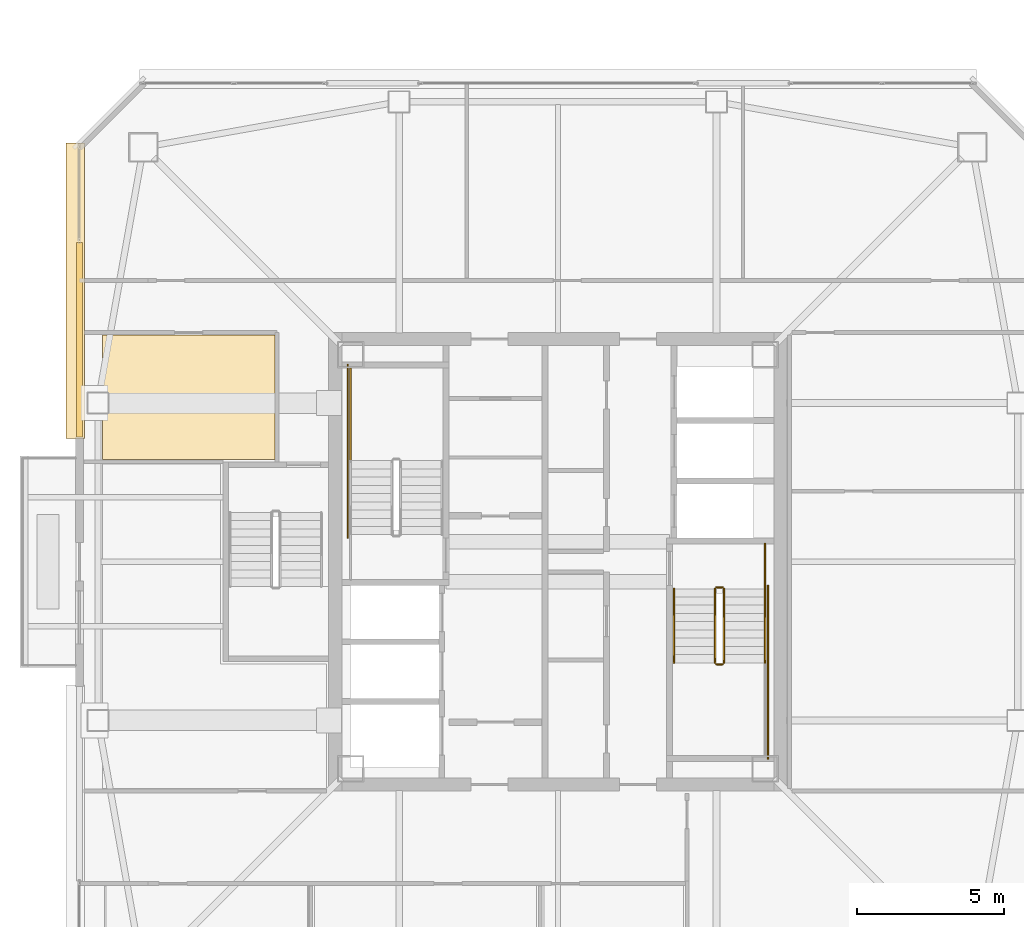
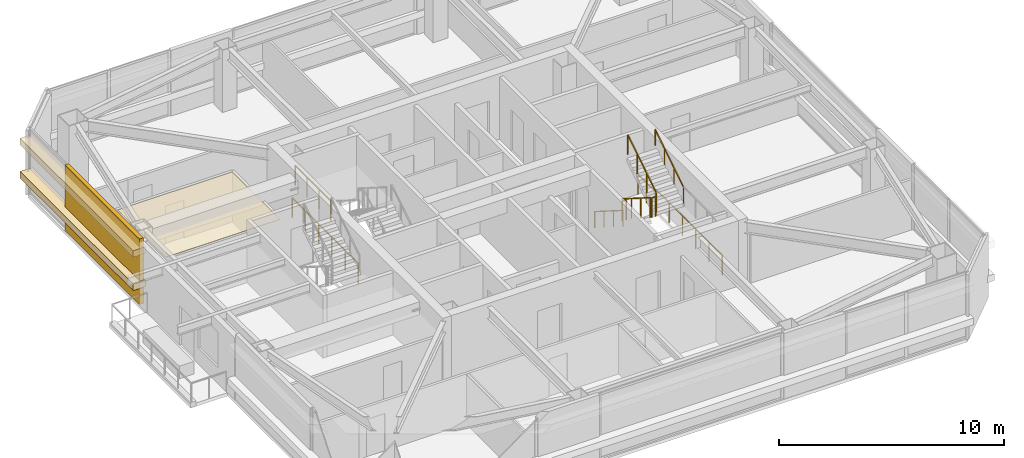
# One storey, part 35 of 39: 10 railings, 4 coverings.
"""IFC4 building model written with IfcOpenShell, lengths in metres."""

from ifc_helpers import new_model, si_unit, direction, frame, origin, origin_2d, place, context, subcontext, project, spatial, polyline, rectangle, outline, extrude, material, layer, layer_set, type_object, element, save


model = new_model("IFC4")

# Units and contexts
model_context = context("Model", 3, precision=1e-05, world=origin(), true_north=direction((0.0, 1.0)))
body_context = subcontext(model_context, "Body", "Model", "MODEL_VIEW")
ifc_project = project(units=[si_unit("LENGTHUNIT", "METRE"), si_unit("AREAUNIT", "SQUARE_METRE"), si_unit("VOLUMEUNIT", "CUBIC_METRE"), si_unit("PLANEANGLEUNIT", "RADIAN"), si_unit("MASSUNIT", "GRAM", prefix="KILO")], contexts=[model_context])

# Site, building, storey
site_placement = place(None, origin())
site = spatial("IfcSite", under=ifc_project, at=site_placement, CompositionType="ELEMENT")
building_placement = place(site_placement, origin())
building = spatial("IfcBuilding", under=site, at=building_placement, Name="Tashvorn Skyway Center", CompositionType="ELEMENT")
storey_placement = place(building_placement, frame((0.0, 0.0, 214.85009765625)))
storey = spatial("IfcBuildingStorey", under=building, at=storey_placement, Name="L58", CompositionType="ELEMENT", Elevation=214.85009765625)

# Coverings
ifc_material_1 = material(Name="Precast concrete C40/50", Category="concrete")
ifc_layer_1 = layer(ifc_material_1, 0.199951171875)
ifc_layer_set_1 = layer_set([ifc_layer_1], Name="Precast concrete C40/50")
covering_type_1 = type_object("IfcCoveringType", Name="COV-BRACE-CLAD", PredefinedType="CLADDING", material=ifc_layer_set_1)
covering_1_placement = place(storey_placement, frame((25.719970703125, 39.56005859375, 0.0), z_axis=(0.0, 0.0, 1.0), x_axis=(0.0, 1.0, 0.0)))
element("IfcCovering", 1, at=covering_1_placement, inside=storey, type_object=covering_type_1, Name="Tower 1 L58 West Curtain Wall R Mega-Brace Cladding Band 1", PredefinedType="CLADDING", context=body_context, shape_type="SweptSolid", body=[
    extrude(rectangle(XDim=6.6201171875, YDim=0.199951171875, at=origin_2d()), origin(), (0.0, 0.0, 1.0), 3.550048828125),
])
ifc_material_2 = material(Name="Mineral-fibre acoustic ceiling tile on suspended grid")
ifc_layer_2 = layer(ifc_material_2, 0.02001953125)
ifc_layer_set_2 = layer_set([ifc_layer_2], Name="Mineral-fibre acoustic ceiling tile on suspended grid")
covering_type_2 = type_object("IfcCoveringType", Name="COV-CEIL-20", PredefinedType="CEILING", material=ifc_layer_set_2)
covering_2_placement = place(storey_placement, frame((0.0, 0.0, 2.702880859375)))
element("IfcCovering", 2, at=covering_2_placement, inside=storey, type_object=covering_type_2, Name="Tower 1 L58 Boardroom Acoustic Ceiling", PredefinedType="CEILING", context=body_context, shape_type="SweptSolid", body=[
    extrude(outline(polyline([(32.3701171875, 39.719970703125), (32.3701171875, 35.47998046875), (26.5, 35.47998046875), (26.5, 39.719970703125), (32.3701171875, 39.719970703125)])), origin(), (0.0, 0.0, 1.0), 0.02001953125),
])
ifc_material_3 = material(Name="Perforated ceramic-coated bronze aluminium solar screen", Category="aluminium")
ifc_layer_3 = layer(ifc_material_3, 0.85009765625)
ifc_layer_set_3 = layer_set([ifc_layer_3], Name="Perforated ceramic-coated bronze aluminium solar screen")
covering_type_3 = type_object("IfcCoveringType", Name="COV-SOLAR-BAND", PredefinedType="CLADDING", material=ifc_layer_set_3)
for number, where, z_axis, x_axis, name in (
    (3, (25.580078125, 41.215087890625, 0.919921875), (0.0, 0.0, 1.0), (0.0, 1.0, 0.0), "L58 Perforated Ceramic-Metal Solar Screen Louvre Band West 1"),
    (4, (25.580078125, 41.215087890625, 2.7197265625), (0.0, 0.0, 1.0), (0.0, 1.0, 0.0), "L58 Perforated Ceramic-Metal Solar Screen Louvre Band West 2"),
):
    element("IfcCovering", number, at=place(storey_placement, frame(where, z_axis=z_axis, x_axis=x_axis)), inside=storey, type_object=covering_type_3, Name=name, PredefinedType="CLADDING", context=body_context, shape_type="SweptSolid", body=[
        extrude(rectangle(XDim=10.050048828125, YDim=0.639892578125, at=origin_2d()), origin(), (0.0, 0.0, 1.0), 0.360107421875),
    ])

# Railings
ifc_material_4 = material(Name="Brushed stainless steel 316", Category="steel")
railing_type_1 = type_object("IfcRailingType", Name="RAIL-HAND-920", PredefinedType="HANDRAIL", material=ifc_material_4)
railing_1_placement = place(storey_placement, frame((45.949951171875, 31.080078125, 0.177490234375)))
element("IfcRailing", 5, at=railing_1_placement, inside=storey, type_object=railing_type_1, Name="L58 ST-T1-2 stair handrail 1", PredefinedType="HANDRAIL", context=body_context, shape_type="SweptSolid", body=[
    extrude(rectangle(XDim=0.048095703125, YDim=0.048095703125, at=origin_2d()), frame((0.0, 0.0, 0.8759765625), z_axis=(0.0, -0.84460694969, 0.535386869969), x_axis=(1.0, 0.0, 0.0)), (0.0, 0.0, 1.0), 2.983642578125),
    extrude(rectangle(XDim=0.0419921875, YDim=0.0419921875, at=origin_2d()), origin(), (0.0, 0.0, 1.0), 0.851806640625),
    extrude(rectangle(XDim=0.0419921875, YDim=0.0419921875, at=origin_2d()), frame((0.0, -0.840087890625, 0.532470703125)), (0.0, 0.0, 1.0), 0.851806640625),
    extrude(rectangle(XDim=0.0419921875, YDim=0.0419921875, at=origin_2d()), frame((0.0, -1.679931640625, 1.06494140625)), (0.0, 0.0, 1.0), 0.851806640625),
    extrude(rectangle(XDim=0.0419921875, YDim=0.0419921875, at=origin_2d()), frame((0.0, -2.52001953125, 1.597412109375)), (0.0, 0.0, 1.0), 0.851806640625),
])
railing_2_placement = place(storey_placement, frame((49.050048828125, 28.56005859375, 1.952392578125)))
element("IfcRailing", 6, at=railing_2_placement, inside=storey, type_object=railing_type_1, Name="L58 ST-T1-2 stair handrail 2", PredefinedType="HANDRAIL", context=body_context, shape_type="SweptSolid", body=[
    extrude(rectangle(XDim=0.048095703125, YDim=0.048095703125, at=origin_2d()), frame((0.0, 0.0, 0.8759765625), z_axis=(0.0, 0.84460694969, 0.535386869969), x_axis=(-1.0, 0.0, 0.0)), (0.0, 0.0, 1.0), 2.983642578125),
    extrude(rectangle(XDim=0.0419921875, YDim=0.0419921875, at=origin_2d()), origin(), (0.0, 0.0, 1.0), 0.851806640625),
    extrude(rectangle(XDim=0.0419921875, YDim=0.0419921875, at=origin_2d()), frame((0.0, 0.840087890625, 0.532470703125)), (0.0, 0.0, 1.0), 0.851806640625),
    extrude(rectangle(XDim=0.0419921875, YDim=0.0419921875, at=origin_2d()), frame((0.0, 1.679931640625, 1.06494140625)), (0.0, 0.0, 1.0), 0.851806640625),
    extrude(rectangle(XDim=0.0419921875, YDim=0.0419921875, at=origin_2d()), frame((0.0, 2.52001953125, 1.597412109375)), (0.0, 0.0, 1.0), 0.851806640625),
])
ifc_material_5 = material(Name="Painted galvanized steel S355", Category="steel")
railing_type_2 = type_object("IfcRailingType", Name="RAIL-STGUARD-1100", PredefinedType="GUARDRAIL", material=ifc_material_5)
railing_3_placement = place(storey_placement, frame((34.949951171875, 35.43994140625, 1.77490234375)))
element("IfcRailing", 7, at=railing_3_placement, inside=storey, type_object=railing_type_2, Name="L58 ST-T1-1 stair guard 3", PredefinedType="GUARDRAIL", context=body_context, shape_type="SweptSolid", body=[
    extrude(rectangle(XDim=0.048095703125, YDim=0.048095703125, at=origin_2d()), frame((0.0, 0.0, 1.076171875), z_axis=(0.0, 1.0, 0.0), x_axis=(-1.0, 0.0, 0.0)), (0.0, 0.0, 1.0), 3.16015625),
    extrude(rectangle(XDim=0.0419921875, YDim=0.0419921875, at=origin_2d()), origin(), (0.0, 0.0, 1.0), 1.052001953125),
    extrude(rectangle(XDim=0.0419921875, YDim=0.0419921875, at=origin_2d()), frame((0.0, 1.053466796875, 0.0)), (0.0, 0.0, 1.0), 1.052001953125),
    extrude(rectangle(XDim=0.0419921875, YDim=0.0419921875, at=origin_2d()), frame((0.0, 2.106689453125, 0.0)), (0.0, 0.0, 1.0), 1.052001953125),
    extrude(rectangle(XDim=0.0419921875, YDim=0.0419921875, at=origin_2d()), frame((0.0, 3.16015625, 0.0)), (0.0, 0.0, 1.0), 1.052001953125),
])
railing_4_placement = place(storey_placement, frame((34.85009765625, 32.820068359375, 0.0)))
element("IfcRailing", 8, at=railing_4_placement, inside=storey, type_object=railing_type_2, Name="L58 ST-T1-1 stair guard 7", PredefinedType="GUARDRAIL", context=body_context, shape_type="SweptSolid", body=[
    extrude(rectangle(XDim=0.048095703125, YDim=0.048095703125, at=origin_2d()), frame((0.0, 0.0, 1.076171875), z_axis=(0.0, 1.0, 0.0), x_axis=(-1.0, 0.0, 0.0)), (0.0, 0.0, 1.0), 5.8798828125),
    extrude(rectangle(XDim=0.0419921875, YDim=0.0419921875, at=origin_2d()), origin(), (0.0, 0.0, 1.0), 1.052001953125),
    extrude(rectangle(XDim=0.0419921875, YDim=0.0419921875, at=origin_2d()), frame((0.0, 1.176025390625, 0.0)), (0.0, 0.0, 1.0), 1.052001953125),
    extrude(rectangle(XDim=0.0419921875, YDim=0.0419921875, at=origin_2d()), frame((0.0, 2.35205078125, 0.0)), (0.0, 0.0, 1.0), 1.052001953125),
    extrude(rectangle(XDim=0.0419921875, YDim=0.0419921875, at=origin_2d()), frame((0.0, 3.52783203125, 0.0)), (0.0, 0.0, 1.0), 1.052001953125),
    extrude(rectangle(XDim=0.0419921875, YDim=0.0419921875, at=origin_2d()), frame((0.0, 4.703857421875, 0.0)), (0.0, 0.0, 1.0), 1.052001953125),
    extrude(rectangle(XDim=0.0419921875, YDim=0.0419921875, at=origin_2d()), frame((0.0, 5.8798828125, 0.0)), (0.0, 0.0, 1.0), 1.052001953125),
])
railing_5_placement = place(storey_placement, frame((47.35009765625, 31.080078125, 0.177490234375)))
element("IfcRailing", 9, at=railing_5_placement, inside=storey, type_object=railing_type_2, Name="L58 ST-T1-2 stair guard 1", PredefinedType="GUARDRAIL", context=body_context, shape_type="SweptSolid", body=[
    extrude(rectangle(XDim=0.048095703125, YDim=0.048095703125, at=origin_2d()), frame((0.0, 0.0, 1.076171875), z_axis=(0.0, -0.84460694969, 0.535386869969), x_axis=(1.0, 0.0, 0.0)), (0.0, 0.0, 1.0), 2.983642578125),
    extrude(rectangle(XDim=0.0419921875, YDim=0.0419921875, at=origin_2d()), origin(), (0.0, 0.0, 1.0), 1.052001953125),
    extrude(rectangle(XDim=0.0419921875, YDim=0.0419921875, at=origin_2d()), frame((0.0, -0.840087890625, 0.532470703125)), (0.0, 0.0, 1.0), 1.052001953125),
    extrude(rectangle(XDim=0.0419921875, YDim=0.0419921875, at=origin_2d()), frame((0.0, -1.679931640625, 1.06494140625)), (0.0, 0.0, 1.0), 1.052001953125),
    extrude(rectangle(XDim=0.0419921875, YDim=0.0419921875, at=origin_2d()), frame((0.0, -2.52001953125, 1.597412109375)), (0.0, 0.0, 1.0), 1.052001953125),
])
railing_6_placement = place(storey_placement, frame((47.39990234375, 28.510009765625, 1.77490234375)))
element("IfcRailing", 10, at=railing_6_placement, inside=storey, type_object=railing_type_2, Name="L58 ST-T1-2 stair guard 2", PredefinedType="GUARDRAIL", context=body_context, shape_type="SweptSolid", body=[
    extrude(rectangle(XDim=0.048095703125, YDim=0.048095703125, at=origin_2d()), frame((0.0, 0.0, 1.076171875), z_axis=(1.0, 0.0, 0.0), x_axis=(0.0, 1.0, 0.0)), (0.0, 0.0, 1.0), 0.2001953125),
    extrude(rectangle(XDim=0.0419921875, YDim=0.0419921875, at=origin_2d()), origin(), (0.0, 0.0, 1.0), 1.052001953125),
    extrude(rectangle(XDim=0.0419921875, YDim=0.0419921875, at=origin_2d()), frame((0.2001953125, 0.0, 0.0)), (0.0, 0.0, 1.0), 1.052001953125),
])
railing_7_placement = place(storey_placement, frame((47.64990234375, 28.56005859375, 1.952392578125)))
element("IfcRailing", 11, at=railing_7_placement, inside=storey, type_object=railing_type_2, Name="L58 ST-T1-2 stair guard 4", PredefinedType="GUARDRAIL", context=body_context, shape_type="SweptSolid", body=[
    extrude(rectangle(XDim=0.048095703125, YDim=0.048095703125, at=origin_2d()), frame((0.0, 0.0, 1.076171875), z_axis=(0.0, 0.84460694969, 0.535386869969), x_axis=(-1.0, 0.0, 0.0)), (0.0, 0.0, 1.0), 2.983642578125),
    extrude(rectangle(XDim=0.0419921875, YDim=0.0419921875, at=origin_2d()), origin(), (0.0, 0.0, 1.0), 1.052001953125),
    extrude(rectangle(XDim=0.0419921875, YDim=0.0419921875, at=origin_2d()), frame((0.0, 0.840087890625, 0.532470703125)), (0.0, 0.0, 1.0), 1.052001953125),
    extrude(rectangle(XDim=0.0419921875, YDim=0.0419921875, at=origin_2d()), frame((0.0, 1.679931640625, 1.06494140625)), (0.0, 0.0, 1.0), 1.052001953125),
    extrude(rectangle(XDim=0.0419921875, YDim=0.0419921875, at=origin_2d()), frame((0.0, 2.52001953125, 1.597412109375)), (0.0, 0.0, 1.0), 1.052001953125),
])
railing_8_placement = place(storey_placement, frame((47.39990234375, 31.1298828125, 0.0)))
element("IfcRailing", 12, at=railing_8_placement, inside=storey, type_object=railing_type_2, Name="L58 ST-T1-2 stair guard 5", PredefinedType="GUARDRAIL", context=body_context, shape_type="SweptSolid", body=[
    extrude(rectangle(XDim=0.048095703125, YDim=0.048095703125, at=origin_2d()), frame((0.0, 0.0, 1.076171875), z_axis=(1.0, 0.0, 0.0), x_axis=(0.0, 1.0, 0.0)), (0.0, 0.0, 1.0), 0.2001953125),
    extrude(rectangle(XDim=0.0419921875, YDim=0.0419921875, at=origin_2d()), origin(), (0.0, 0.0, 1.0), 1.052001953125),
    extrude(rectangle(XDim=0.0419921875, YDim=0.0419921875, at=origin_2d()), frame((0.2001953125, 0.0, 0.0)), (0.0, 0.0, 1.0), 1.052001953125),
])
railing_9_placement = place(storey_placement, frame((49.050048828125, 32.60009765625, 0.0)))
element("IfcRailing", 13, at=railing_9_placement, inside=storey, type_object=railing_type_2, Name="L58 ST-T1-2 stair guard 6", PredefinedType="GUARDRAIL", context=body_context, shape_type="SweptSolid", body=[
    extrude(rectangle(XDim=0.048095703125, YDim=0.048095703125, at=origin_2d()), frame((0.0, 0.0, 1.076171875), z_axis=(0.0, -1.0, 0.0), x_axis=(1.0, 0.0, 0.0)), (0.0, 0.0, 1.0), 1.52001953125),
    extrude(rectangle(XDim=0.0419921875, YDim=0.0419921875, at=origin_2d()), origin(), (0.0, 0.0, 1.0), 1.052001953125),
    extrude(rectangle(XDim=0.0419921875, YDim=0.0419921875, at=origin_2d()), frame((0.0, -0.760009765625, 0.0)), (0.0, 0.0, 1.0), 1.052001953125),
    extrude(rectangle(XDim=0.0419921875, YDim=0.0419921875, at=origin_2d()), frame((0.0, -1.52001953125, 0.0)), (0.0, 0.0, 1.0), 1.052001953125),
])
railing_10_placement = place(storey_placement, frame((49.14990234375, 31.179931640625, 0.0)))
element("IfcRailing", 14, at=railing_10_placement, inside=storey, type_object=railing_type_2, Name="L58 ST-T1-2 stair guard 7", PredefinedType="GUARDRAIL", context=body_context, shape_type="SweptSolid", body=[
    extrude(rectangle(XDim=0.048095703125, YDim=0.048095703125, at=origin_2d()), frame((0.0, 0.0, 1.076171875), z_axis=(0.0, -1.0, 0.0), x_axis=(1.0, 0.0, 0.0)), (0.0, 0.0, 1.0), 5.8798828125),
    extrude(rectangle(XDim=0.0419921875, YDim=0.0419921875, at=origin_2d()), origin(), (0.0, 0.0, 1.0), 1.052001953125),
    extrude(rectangle(XDim=0.0419921875, YDim=0.0419921875, at=origin_2d()), frame((0.0, -1.176025390625, 0.0)), (0.0, 0.0, 1.0), 1.052001953125),
    extrude(rectangle(XDim=0.0419921875, YDim=0.0419921875, at=origin_2d()), frame((0.0, -2.35205078125, 0.0)), (0.0, 0.0, 1.0), 1.052001953125),
    extrude(rectangle(XDim=0.0419921875, YDim=0.0419921875, at=origin_2d()), frame((0.0, -3.52783203125, 0.0)), (0.0, 0.0, 1.0), 1.052001953125),
    extrude(rectangle(XDim=0.0419921875, YDim=0.0419921875, at=origin_2d()), frame((0.0, -4.703857421875, 0.0)), (0.0, 0.0, 1.0), 1.052001953125),
    extrude(rectangle(XDim=0.0419921875, YDim=0.0419921875, at=origin_2d()), frame((0.0, -5.8798828125, 0.0)), (0.0, 0.0, 1.0), 1.052001953125),
])

save(model, "model.ifc")
